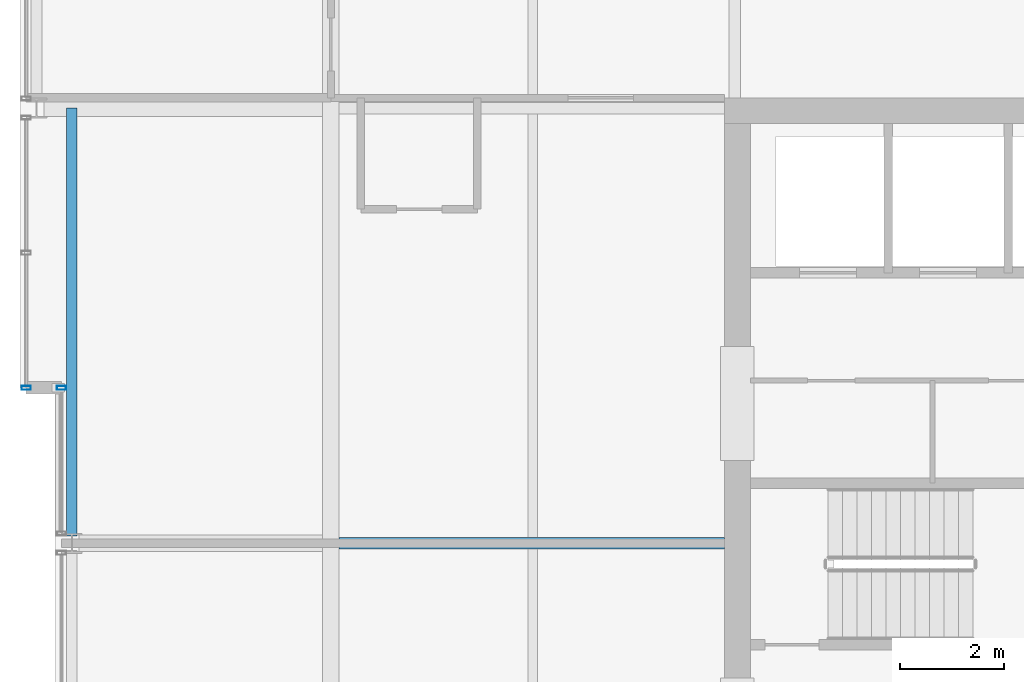
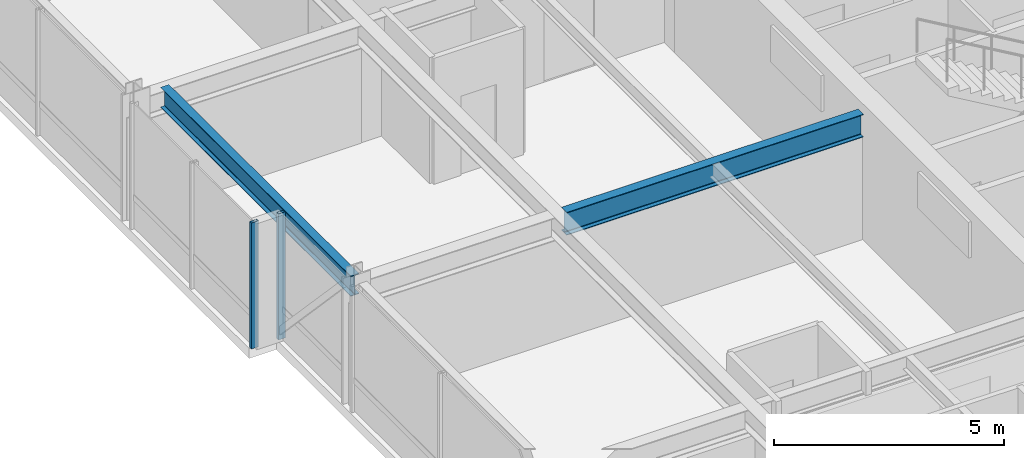
# One storey, part 10 of 33: 2 beams, 2 members, 2 elements without a shape of their own.
"""IFC4 building model written with IfcOpenShell, lengths in metres."""

from ifc_helpers import new_model, si_unit, direction, frame, origin, origin_2d, place, context, subcontext, project, spatial, hollow_rectangle, i_section, extrude, material, layer, layer_set, material_profile, profile_set, type_object, element, aggregate, save


model = new_model("IFC4")

# Units and contexts
model_context = context("Model", 3, precision=1e-05, world=origin(), true_north=direction((0.0, 1.0)))
body_context = subcontext(model_context, "Body", "Model", "MODEL_VIEW")
ifc_project = project(units=[si_unit("LENGTHUNIT", "METRE"), si_unit("AREAUNIT", "SQUARE_METRE"), si_unit("VOLUMEUNIT", "CUBIC_METRE"), si_unit("PLANEANGLEUNIT", "RADIAN"), si_unit("MASSUNIT", "GRAM", prefix="KILO")], contexts=[model_context])

# Site, building, storey
site_placement = place(None, origin())
site = spatial("IfcSite", under=ifc_project, at=site_placement, CompositionType="ELEMENT")
building_placement = place(site_placement, origin())
building = spatial("IfcBuilding", under=site, at=building_placement, Name="Drelvath Grand Hotel", CompositionType="ELEMENT")
storey_placement = place(building_placement, frame((0.0, 0.0, 212.300048828125)))
storey = spatial("IfcBuildingStorey", under=building, at=storey_placement, Name="L55", CompositionType="ELEMENT", Elevation=212.300048828125)

# Curtain wall, member
ifc_material_1 = material(Name="Platinum-Mist Anodised Aluminium Frame", Category="aluminium")
ifc_layer = layer(ifc_material_1, 0.199951171875)
ifc_layer_set = layer_set([ifc_layer], Name="Platinum-Mist Anodised Aluminium Frame")
curtain_wall_type = type_object("IfcCurtainWallType", Name="Stick Curtain Wall CW-05 Platinum Mist High-Rise", PredefinedType="NOTDEFINED", material=ifc_layer_set)
curtain_wall_1_placement = place(storey_placement, origin())
curtain_wall_1 = element("IfcCurtainWall", 1, at=curtain_wall_1_placement, inside=storey, type_object=curtain_wall_type, Name="L55 CW-05 Curtain Wall CW05-L55-WM2", PredefinedType="NOTDEFINED")
ifc_material_profile_1 = material_profile(ifc_material_1, hollow_rectangle(XDim=0.074951171875, YDim=0.179931640625, WallThickness=0.0048828125, at=origin_2d()), Name="HSS180X75X5")
ifc_profile_set_1 = profile_set([ifc_material_profile_1], Name="Platinum-Mist Anodised Aluminium Frame")
member_type = type_object("IfcMemberType", Name="Curtain Wall Vertical Mullion CW-05 HSS180X75X5", PredefinedType="MULLION", material=ifc_profile_set_1)
member_1_placement = place(storey_placement, frame((-21.39990234375, 30.0, 0.0), z_axis=(0.0, 0.0, 1.0), x_axis=(0.0, 1.0, 0.0)))
member_1 = element("IfcMember", 2, at=member_1_placement, type_object=member_type, Name="CW05-L55-WM2 Mullion 2", PredefinedType="MULLION", context=body_context, shape_type="SweptSolid", body=[
    extrude(hollow_rectangle(XDim=0.074951171875, YDim=0.179931640625, WallThickness=0.0048828125, at=origin_2d()), origin(), (0.0, 0.0, 1.0), 3.33984375),
])
aggregate(curtain_wall_1, [member_1])

curtain_wall_2_placement = place(storey_placement, origin())
curtain_wall_2 = element("IfcCurtainWall", 3, at=curtain_wall_2_placement, inside=storey, type_object=curtain_wall_type, Name="L55 CW-05 Curtain Wall CW05-L55-WN1", PredefinedType="NOTDEFINED")
member_2_placement = place(storey_placement, frame((-22.080078125, 30.0, 0.0), z_axis=(0.0, 0.0, 1.0), x_axis=(0.0, 1.0, 0.0)))
member_2 = element("IfcMember", 4, at=member_2_placement, type_object=member_type, Name="CW05-L55-WN1 Mullion 1", PredefinedType="MULLION", context=body_context, shape_type="SweptSolid", body=[
    extrude(hollow_rectangle(XDim=0.074951171875, YDim=0.179931640625, WallThickness=0.0048828125, at=origin_2d()), origin(), (0.0, 0.0, 1.0), 3.33984375),
])
aggregate(curtain_wall_2, [member_2])

# Beams
ifc_material_2 = material(Name="Steel ASTM A992 Gr 50", Category="steel")
ifc_material_profile_2 = material_profile(ifc_material_2, i_section(OverallWidth=0.210205078125, OverallDepth=0.53662109375, WebThickness=0.010986328125, FlangeThickness=0.017333984375, FilletRadius=0.01806640625, at=origin_2d()), Name="W21X68")
ifc_profile_set_2 = profile_set([ifc_material_profile_2], Name="Steel ASTM A992 Gr 50")
beam_type_1 = type_object("IfcBeamType", Name="Perimeter Spandrel Beam W21X68", PredefinedType="SPANDREL", material=ifc_profile_set_2)
beam_1_placement = place(storey_placement, frame((-21.199951171875, 27.139892578125, 3.071533203125), z_axis=(0.0, 1.0, 0.0), x_axis=(-1.0, 0.0, 0.0)))
element("IfcBeam", 5, at=beam_1_placement, inside=storey, type_object=beam_type_1, Name="L55 Spandrel West Mid N", PredefinedType="SPANDREL", context=body_context, shape_type="SweptSolid", body=[
    extrude(i_section(OverallWidth=0.210205078125, OverallDepth=0.53662109375, WebThickness=0.010986328125, FlangeThickness=0.017333984375, FilletRadius=0.01806640625, at=origin_2d()), origin(), (0.0, 0.0, 1.0), 8.260009765625),
])
ifc_material_profile_3 = material_profile(ifc_material_2, i_section(OverallWidth=0.228271484375, OverallDepth=0.607666015625, WebThickness=0.01123046875, FlangeThickness=0.017333984375, FilletRadius=0.02001953125, at=origin_2d()), Name="W24X76")
ifc_profile_set_3 = profile_set([ifc_material_profile_3], Name="Steel ASTM A992 Gr 50")
beam_type_2 = type_object("IfcBeamType", Name="Primary Floor Girder W24X76", PredefinedType="BEAM", material=ifc_profile_set_3)
beam_2_placement = place(storey_placement, frame((-16.0380859375, 27.0, 3.0361328125), z_axis=(1.0, 0.0, 0.0), x_axis=(0.0, 1.0, 0.0)))
element("IfcBeam", 6, at=beam_2_placement, inside=storey, type_object=beam_type_2, Name="L55 West Core Tie E", PredefinedType="BEAM", context=body_context, shape_type="SweptSolid", body=[
    extrude(i_section(OverallWidth=0.228271484375, OverallDepth=0.607666015625, WebThickness=0.01123046875, FlangeThickness=0.017333984375, FilletRadius=0.02001953125, at=origin_2d()), origin(), (0.0, 0.0, 1.0), 7.43798828125),
])

save(model, "model.ifc")
